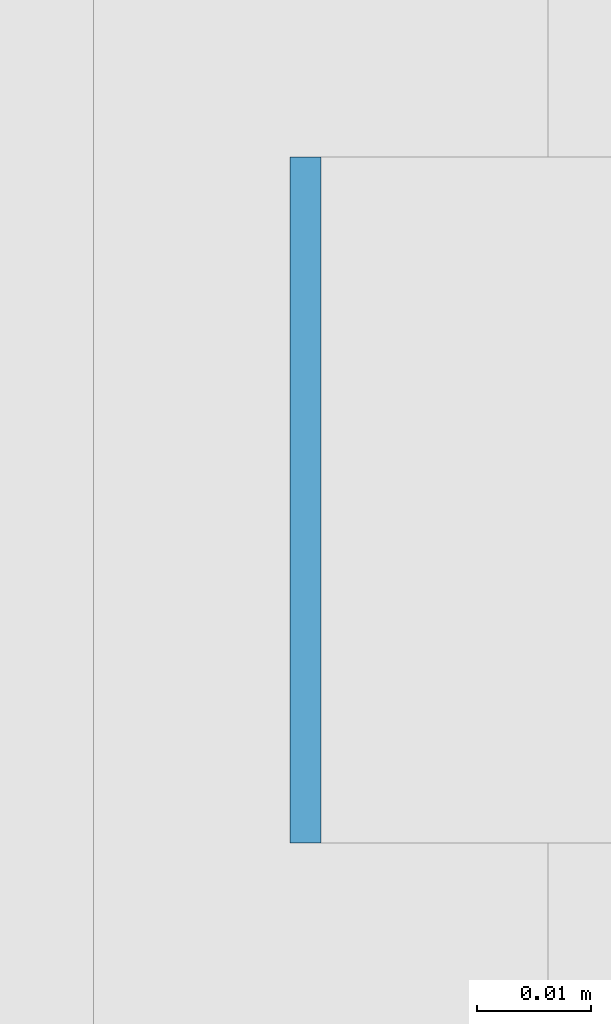
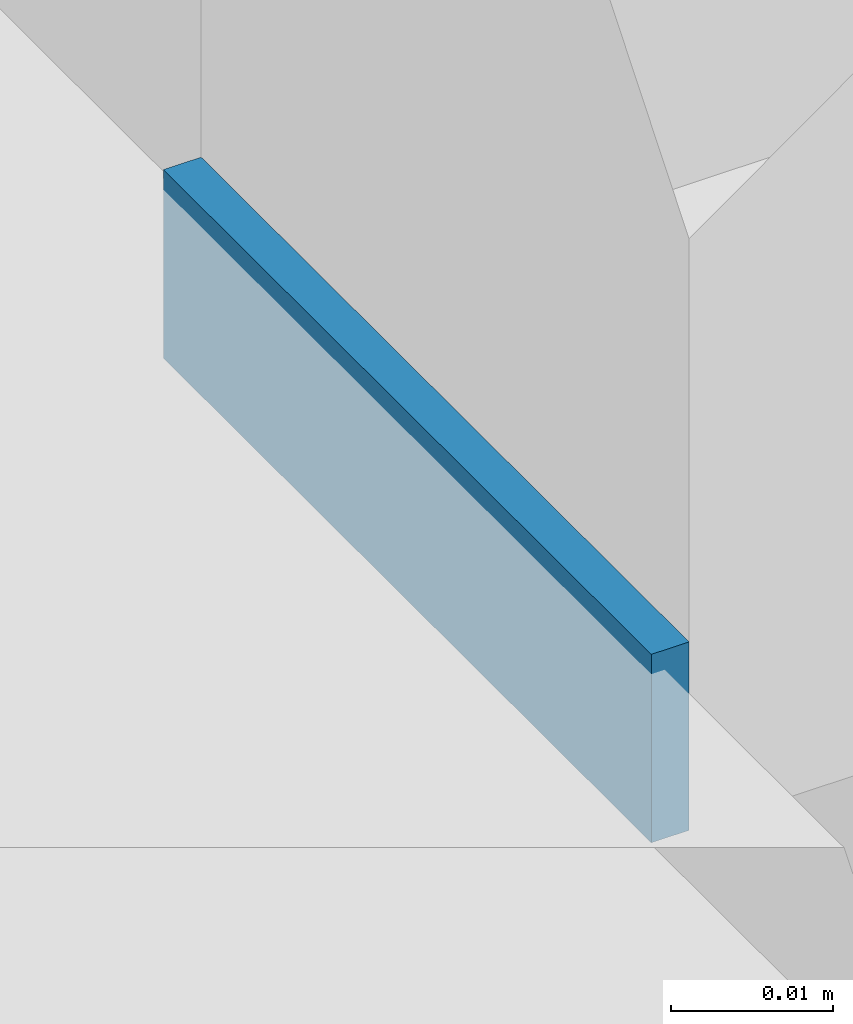
# One storey, part 596 of 646: 1 discrete accessory.
"""IFC4 building model written with IfcOpenShell, lengths in metres."""

from ifc_helpers import new_model, si_unit, direction, frame, origin, origin_2d, place, context, subcontext, project, spatial, rectangle, extrude, material, type_object, element, save


model = new_model("IFC4")

# Units and contexts
model_context = context("Model", 3, precision=1e-05, world=origin(), true_north=direction((0.0, 1.0)))
body_context = subcontext(model_context, "Body", "Model", "MODEL_VIEW")
ifc_project = project(units=[si_unit("LENGTHUNIT", "METRE"), si_unit("AREAUNIT", "SQUARE_METRE"), si_unit("VOLUMEUNIT", "CUBIC_METRE"), si_unit("PLANEANGLEUNIT", "RADIAN"), si_unit("MASSUNIT", "GRAM", prefix="KILO")], contexts=[model_context])

# Site, building, storey
site_placement = place(None, origin())
site = spatial("IfcSite", under=ifc_project, at=site_placement, CompositionType="ELEMENT")
building_placement = place(site_placement, origin())
building = spatial("IfcBuilding", under=site, at=building_placement, Name="Silverbay Arena", CompositionType="ELEMENT")
storey_placement = place(building_placement, frame((0.0, 0.0, 33.5)))
storey = spatial("IfcBuildingStorey", under=building, at=storey_placement, Name="L05", CompositionType="ELEMENT", Elevation=33.5)

# Discrete accessory
ifc_material = material(Name="Steel S355", Category="steel")
discrete_accessory_type = type_object("IfcDiscreteAccessoryType", Name="Steel bracket plate", PredefinedType="BRACKET", material=ifc_material)
discrete_accessory_placement = place(storey_placement, frame((207.128662109375, 120.857177734375, 4.0), z_axis=(0.0, 0.0, 1.0), x_axis=(1.0, 0.0, 0.0)))
element("IfcDiscreteAccessory", 1, at=discrete_accessory_placement, inside=storey, type_object=discrete_accessory_type, Name="Curtain wall packing plate", PredefinedType="BRACKET", context=body_context, shape_type="SweptSolid", body=[
    extrude(rectangle(XDim=0.002685546875, YDim=0.06005859375, at=origin_2d()), origin(), (0.0, 0.0, 1.0), 0.01416015625),
])

save(model, "model.ifc")
